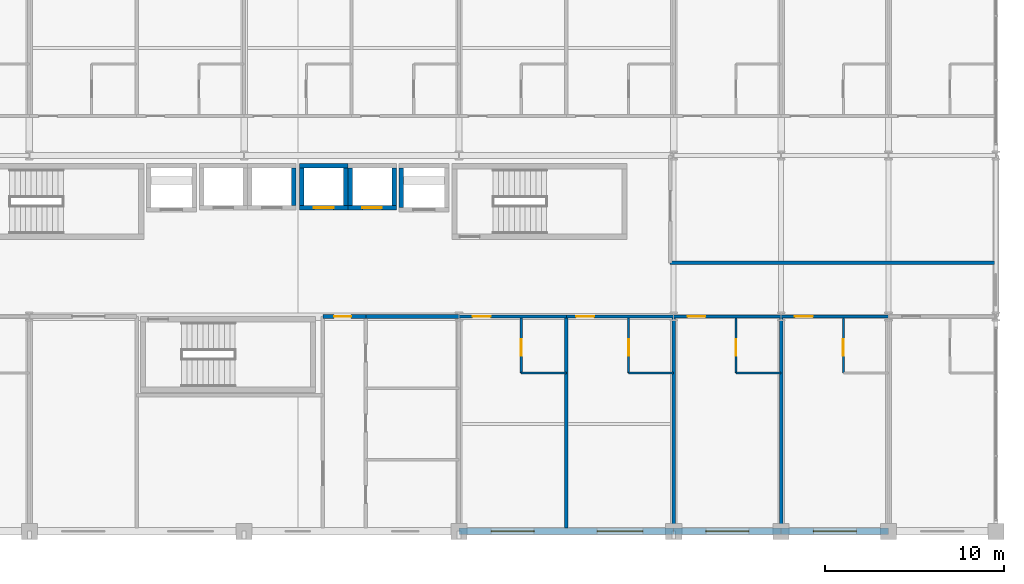
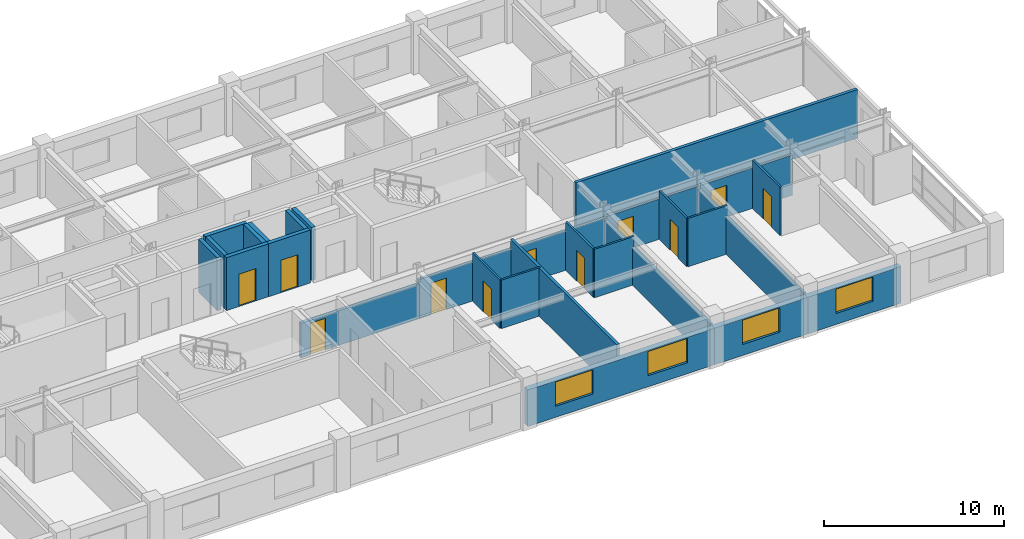
# One storey, part 18 of 22: 29 walls, 11 doors, 4 windows, 15 openings.
"""IFC4 building model written with IfcOpenShell, lengths in metres."""

from ifc_helpers import new_model, si_unit, direction, frame, frame_2d, origin, place, context, subcontext, project, spatial, rectangle, extrude, material, layer, layer_set, type_object, element, fill, save


model = new_model("IFC4")

# Units and contexts
model_context = context("Model", 3, precision=1e-05, world=origin(), true_north=direction((0.0, 1.0)))
body_context = subcontext(model_context, "Body", "Model", "MODEL_VIEW")
ifc_project = project(units=[si_unit("LENGTHUNIT", "METRE"), si_unit("AREAUNIT", "SQUARE_METRE"), si_unit("VOLUMEUNIT", "CUBIC_METRE"), si_unit("PLANEANGLEUNIT", "RADIAN"), si_unit("MASSUNIT", "GRAM", prefix="KILO")], contexts=[model_context])

# Site, building, storey
site_placement = place(None, origin())
site = spatial("IfcSite", under=ifc_project, at=site_placement, CompositionType="ELEMENT")
building_placement = place(site_placement, origin())
building = spatial("IfcBuilding", under=site, at=building_placement, Name="Kaldorvane Square Convention Centre", CompositionType="ELEMENT")
storey_placement = place(building_placement, frame((0.0, 0.0, 31.199996948242188)))
storey = spatial("IfcBuildingStorey", under=building, at=storey_placement, Name="L06", CompositionType="ELEMENT", Elevation=31.199996948242188)

# Wall, opening, door
ifc_material_1 = material(Name="Fire-Rated Gypsum Board on Acoustic Steel Studs", Category="steel")
ifc_layer_1 = layer(ifc_material_1, 0.125)
ifc_layer_set_1 = layer_set([ifc_layer_1], Name="Fire-Rated Gypsum Board on Acoustic Steel Studs")
wall_type_1 = type_object("IfcWallType", Name="WL-BATH-125", PredefinedType="PARTITIONING", material=ifc_layer_set_1)
wall_1_placement = place(storey_placement, frame((69.47999572753906, 92.85000610351562, 0.0), z_axis=(0.0, 0.0, 1.0), x_axis=(0.0, 1.0, 0.0)))
wall_1 = element("IfcWall", 1, at=wall_1_placement, inside=storey, type_object=wall_type_1, Name="En-Suite 616 West Wall", PredefinedType="PARTITIONING", context=body_context, shape_type="SweptSolid", body=[
    extrude(rectangle(XDim=3.05999755859375, YDim=0.125, at=frame_2d((1.529998779296875, 0.0))), origin(), (0.0, 0.0, 1.0), 3.290008544921875),
])
opening_1_placement = place(wall_1_placement, frame((0.9499969482421875, 0.0, 0.0)))
opening_1 = element("IfcOpeningElement", 2, at=opening_1_placement, cuts=wall_1, Name="Opening ID-12", PredefinedType="OPENING", context=body_context, shape_type="SweptSolid", body=[
    extrude(rectangle(XDim=0.9199981689453125, YDim=2.100006103515625, at=frame_2d((0.459991455078125, 1.0500030517578125))), frame((0.0, 0.0774993896484375, 0.0), z_axis=(0.0, -1.0, 0.0), x_axis=(1.0, 0.0, 0.0)), (0.0, 0.0, 1.0), 0.154998779296875),
])
ifc_material_2 = material(Name="Architectural Solid-Core White Oak")
door_type_1 = type_object("IfcDoorType", Name="DR-BATH-0920X2100", OperationType="SINGLE_SWING_RIGHT", PredefinedType="DOOR", material=ifc_material_2)
door_1_placement = place(opening_1_placement, origin())
door_1 = element("IfcDoor", 3, at=door_1_placement, inside=storey, type_object=door_type_1, Name="En-Suite Bathroom 616 Door", OperationType="SINGLE_SWING_RIGHT", OverallHeight=2.100006103515625, OverallWidth=0.9199981689453125, PredefinedType="DOOR", context=body_context, shape_type="SweptSolid", body=[
    extrude(rectangle(XDim=0.9199981689453125, YDim=2.100006103515625, at=frame_2d((0.459991455078125, 1.0500030517578125))), frame((0.0, 0.024993896484375, 0.0), z_axis=(0.0, -1.0, 0.0), x_axis=(1.0, 0.0, 0.0)), (0.0, 0.0, 1.0), 0.0500030517578125),
])
fill(opening_1, door_1)

# Wall
wall_2_placement = place(storey_placement, frame((69.47999572753906, 92.85000610351562, 0.0), z_axis=(0.0, 0.0, 1.0), x_axis=(1.0, 0.0, 0.0)))
element("IfcWall", 4, at=wall_2_placement, inside=storey, type_object=wall_type_1, Name="En-Suite 616 South Wall", PredefinedType="PARTITIONING", context=body_context, shape_type="SweptSolid", body=[
    extrude(rectangle(XDim=2.5200042724609375, YDim=0.125, at=frame_2d((1.260009765625, 0.0))), origin(), (0.0, 0.0, 1.0), 3.290008544921875),
])

# Wall, opening, door
wall_3_placement = place(storey_placement, frame((75.47999572753906, 92.85000610351562, 0.0), z_axis=(0.0, 0.0, 1.0), x_axis=(0.0, 1.0, 0.0)))
wall_3 = element("IfcWall", 5, at=wall_3_placement, inside=storey, type_object=wall_type_1, Name="En-Suite 617 West Wall", PredefinedType="PARTITIONING", context=body_context, shape_type="SweptSolid", body=[
    extrude(rectangle(XDim=3.05999755859375, YDim=0.125, at=frame_2d((1.529998779296875, 0.0))), origin(), (0.0, 0.0, 1.0), 3.290008544921875),
])
opening_2_placement = place(wall_3_placement, frame((0.9499969482421875, 0.0, 0.0)))
opening_2 = element("IfcOpeningElement", 6, at=opening_2_placement, cuts=wall_3, Name="Opening ID-12", PredefinedType="OPENING", context=body_context, shape_type="SweptSolid", body=[
    extrude(rectangle(XDim=0.9199981689453125, YDim=2.100006103515625, at=frame_2d((0.459991455078125, 1.0500030517578125))), frame((0.0, 0.0774993896484375, 0.0), z_axis=(0.0, -1.0, 0.0), x_axis=(1.0, 0.0, 0.0)), (0.0, 0.0, 1.0), 0.154998779296875),
])
door_2_placement = place(opening_2_placement, origin())
door_2 = element("IfcDoor", 7, at=door_2_placement, inside=storey, type_object=door_type_1, Name="En-Suite Bathroom 617 Door", OperationType="SINGLE_SWING_RIGHT", OverallHeight=2.100006103515625, OverallWidth=0.9199981689453125, PredefinedType="DOOR", context=body_context, shape_type="SweptSolid", body=[
    extrude(rectangle(XDim=0.9199981689453125, YDim=2.100006103515625, at=frame_2d((0.459991455078125, 1.0500030517578125))), frame((0.0, 0.024993896484375, 0.0), z_axis=(0.0, -1.0, 0.0), x_axis=(1.0, 0.0, 0.0)), (0.0, 0.0, 1.0), 0.0500030517578125),
])
fill(opening_2, door_2)

# Wall
wall_4_placement = place(storey_placement, frame((75.47999572753906, 92.85000610351562, 0.0), z_axis=(0.0, 0.0, 1.0), x_axis=(1.0, 0.0, 0.0)))
element("IfcWall", 8, at=wall_4_placement, inside=storey, type_object=wall_type_1, Name="En-Suite 617 South Wall", PredefinedType="PARTITIONING", context=body_context, shape_type="SweptSolid", body=[
    extrude(rectangle(XDim=2.5200042724609375, YDim=0.125, at=frame_2d((1.260009765625, 0.0))), origin(), (0.0, 0.0, 1.0), 3.290008544921875),
])

# Wall, opening, door
wall_5_placement = place(storey_placement, frame((81.47999572753906, 92.85000610351562, 0.0), z_axis=(0.0, 0.0, 1.0), x_axis=(0.0, 1.0, 0.0)))
wall_5 = element("IfcWall", 9, at=wall_5_placement, inside=storey, type_object=wall_type_1, Name="En-Suite 618 West Wall", PredefinedType="PARTITIONING", context=body_context, shape_type="SweptSolid", body=[
    extrude(rectangle(XDim=3.05999755859375, YDim=0.125, at=frame_2d((1.529998779296875, 0.0))), origin(), (0.0, 0.0, 1.0), 3.290008544921875),
])
opening_3_placement = place(wall_5_placement, frame((0.9499969482421875, 0.0, 0.0)))
opening_3 = element("IfcOpeningElement", 10, at=opening_3_placement, cuts=wall_5, Name="Opening ID-12", PredefinedType="OPENING", context=body_context, shape_type="SweptSolid", body=[
    extrude(rectangle(XDim=0.9199981689453125, YDim=2.100006103515625, at=frame_2d((0.459991455078125, 1.0500030517578125))), frame((0.0, 0.0774993896484375, 0.0), z_axis=(0.0, -1.0, 0.0), x_axis=(1.0, 0.0, 0.0)), (0.0, 0.0, 1.0), 0.154998779296875),
])
door_3_placement = place(opening_3_placement, origin())
door_3 = element("IfcDoor", 11, at=door_3_placement, inside=storey, type_object=door_type_1, Name="En-Suite Bathroom 618 Door", OperationType="SINGLE_SWING_RIGHT", OverallHeight=2.100006103515625, OverallWidth=0.9199981689453125, PredefinedType="DOOR", context=body_context, shape_type="SweptSolid", body=[
    extrude(rectangle(XDim=0.9199981689453125, YDim=2.100006103515625, at=frame_2d((0.459991455078125, 1.0500030517578125))), frame((0.0, 0.024993896484375, 0.0), z_axis=(0.0, -1.0, 0.0), x_axis=(1.0, 0.0, 0.0)), (0.0, 0.0, 1.0), 0.0500030517578125),
])
fill(opening_3, door_3)

# Wall
wall_6_placement = place(storey_placement, frame((81.47999572753906, 92.85000610351562, 0.0), z_axis=(0.0, 0.0, 1.0), x_axis=(1.0, 0.0, 0.0)))
element("IfcWall", 12, at=wall_6_placement, inside=storey, type_object=wall_type_1, Name="En-Suite 618 South Wall", PredefinedType="PARTITIONING", context=body_context, shape_type="SweptSolid", body=[
    extrude(rectangle(XDim=2.5200042724609375, YDim=0.125, at=frame_2d((1.260009765625, 0.0))), origin(), (0.0, 0.0, 1.0), 3.290008544921875),
])

# Wall, opening, door
wall_7_placement = place(storey_placement, frame((87.47999572753906, 92.85000610351562, 0.0), z_axis=(0.0, 0.0, 1.0), x_axis=(0.0, 1.0, 0.0)))
wall_7 = element("IfcWall", 13, at=wall_7_placement, inside=storey, type_object=wall_type_1, Name="En-Suite 619 West Wall", PredefinedType="PARTITIONING", context=body_context, shape_type="SweptSolid", body=[
    extrude(rectangle(XDim=3.05999755859375, YDim=0.125, at=frame_2d((1.529998779296875, 0.0))), origin(), (0.0, 0.0, 1.0), 3.290008544921875),
])
opening_4_placement = place(wall_7_placement, frame((0.9499969482421875, 0.0, 0.0)))
opening_4 = element("IfcOpeningElement", 14, at=opening_4_placement, cuts=wall_7, Name="Opening ID-12", PredefinedType="OPENING", context=body_context, shape_type="SweptSolid", body=[
    extrude(rectangle(XDim=0.9199981689453125, YDim=2.100006103515625, at=frame_2d((0.459991455078125, 1.0500030517578125))), frame((0.0, 0.0774993896484375, 0.0), z_axis=(0.0, -1.0, 0.0), x_axis=(1.0, 0.0, 0.0)), (0.0, 0.0, 1.0), 0.154998779296875),
])
door_4_placement = place(opening_4_placement, origin())
door_4 = element("IfcDoor", 15, at=door_4_placement, inside=storey, type_object=door_type_1, Name="En-Suite Bathroom 619 Door", OperationType="SINGLE_SWING_RIGHT", OverallHeight=2.100006103515625, OverallWidth=0.9199981689453125, PredefinedType="DOOR", context=body_context, shape_type="SweptSolid", body=[
    extrude(rectangle(XDim=0.9199981689453125, YDim=2.100006103515625, at=frame_2d((0.459991455078125, 1.0500030517578125))), frame((0.0, 0.024993896484375, 0.0), z_axis=(0.0, -1.0, 0.0), x_axis=(1.0, 0.0, 0.0)), (0.0, 0.0, 1.0), 0.0500030517578125),
])
fill(opening_4, door_4)

ifc_layer_2 = layer(ifc_material_1, 0.1999969482421875)
ifc_layer_set_2 = layer_set([ifc_layer_2], Name="Fire-Rated Gypsum Board on Acoustic Steel Studs")
wall_type_2 = type_object("IfcWallType", Name="WL-CORR-200", PredefinedType="PARTITIONING", material=ifc_layer_set_2)
wall_8_placement = place(storey_placement, frame((58.399993896484375, 96.0, 0.0), z_axis=(0.0, 0.0, 1.0), x_axis=(1.0, 0.0, 0.0)))
wall_8 = element("IfcWall", 16, at=wall_8_placement, inside=storey, type_object=wall_type_2, Name="Restroom Vestibule Entry Header (L06)", PredefinedType="PARTITIONING", context=body_context, shape_type="SweptSolid", body=[
    extrude(rectangle(XDim=2.4000091552734375, YDim=0.1999969482421875, at=frame_2d((1.20001220703125, 0.0))), origin(), (0.0, 0.0, 1.0), 2.3590087890625),
])
opening_5_placement = place(wall_8_placement, frame((0.625, 0.0, 0.0)))
opening_5 = element("IfcOpeningElement", 17, at=opening_5_placement, cuts=wall_8, Name="Opening ID-13", PredefinedType="OPENING", context=body_context, shape_type="SweptSolid", body=[
    extrude(rectangle(XDim=0.9499969482421875, YDim=2.149993896484375, at=frame_2d((0.475006103515625, 1.0749969482421875))), frame((0.0, 0.114990234375, 0.0), z_axis=(0.0, -1.0, 0.0), x_axis=(1.0, 0.0, 0.0)), (0.0, 0.0, 1.0), 0.2299957275390625),
])
door_type_2 = type_object("IfcDoorType", Name="DR-WC-0950X2150", OperationType="SINGLE_SWING_LEFT", PredefinedType="DOOR", material=ifc_material_2)
door_5_placement = place(opening_5_placement, origin())
door_5 = element("IfcDoor", 18, at=door_5_placement, inside=storey, type_object=door_type_2, Name="Restroom Vestibule Door (L06)", OperationType="SINGLE_SWING_LEFT", OverallHeight=2.149993896484375, OverallWidth=0.9499969482421875, PredefinedType="DOOR", context=body_context, shape_type="SweptSolid", body=[
    extrude(rectangle(XDim=0.9499969482421875, YDim=2.149993896484375, at=frame_2d((0.475006103515625, 1.0749969482421875))), frame((0.0, 0.024993896484375, 0.0), z_axis=(0.0, -1.0, 0.0), x_axis=(1.0, 0.0, 0.0)), (0.0, 0.0, 1.0), 0.0500030517578125),
])
fill(opening_5, door_5)

# Walls
wall_9_placement = place(storey_placement, frame((60.80000305175781, 96.0, 0.0), z_axis=(0.0, 0.0, 1.0), x_axis=(1.0, 0.0, 0.0)))
element("IfcWall", 19, at=wall_9_placement, inside=storey, type_object=wall_type_2, Name="Restroom North Wall (L06)", PredefinedType="PARTITIONING", context=body_context, shape_type="SweptSolid", body=[
    extrude(rectangle(XDim=5.1999969482421875, YDim=0.1999969482421875, at=frame_2d((2.600006103515625, 0.0))), origin(), (0.0, 0.0, 1.0), 2.3590087890625),
])
wall_10_placement = place(storey_placement, frame((77.80000305175781, 99.0, 0.0), z_axis=(0.0, 0.0, 1.0), x_axis=(1.0, 0.0, 0.0)))
element("IfcWall", 20, at=wall_10_placement, inside=storey, type_object=wall_type_2, Name="East Square View Lounge (L06) S Wall", PredefinedType="PARTITIONING", context=body_context, shape_type="SweptSolid", body=[
    extrude(rectangle(XDim=18.114990234375, YDim=0.1999969482421875, at=frame_2d((9.0574951171875, 0.0))), origin(), (0.0, 0.0, 1.0), 3.290008544921875),
])

# Wall, openings, windows
ifc_material_3 = material(Name="Concrete f'c = 42 MPa (Normalweight)", Category="concrete")
ifc_layer_3 = layer(ifc_material_3, 0.350006103515625)
ifc_layer_set_3 = layer_set([ifc_layer_3], Name="Concrete f'c = 42 MPa (Normalweight)")
wall_type_3 = type_object("IfcWallType", Name="WL-EXT-350", PredefinedType="STANDARD", material=ifc_layer_set_3)
wall_11_placement = place(storey_placement, frame((66.0, 84.0, 0.0), z_axis=(0.0, 0.0, 1.0), x_axis=(1.0, 0.0, 0.0)))
wall_11 = element("IfcWall", 21, at=wall_11_placement, inside=storey, type_object=wall_type_3, Name="Hotel S Brutalist Facade Wall (L06)", PredefinedType="STANDARD", context=body_context, shape_type="SweptSolid", body=[
    extrude(rectangle(XDim=12.0, YDim=0.350006103515625, at=frame_2d((6.0, 0.0))), origin(), (0.0, 0.0, 1.0), 2.4860076904296875),
])
opening_6_placement = place(wall_11_placement, frame((1.8000030517578125, 0.0, 0.75)))
opening_6 = element("IfcOpeningElement", 22, at=opening_6_placement, cuts=wall_11, Name="Opening W-01", PredefinedType="OPENING", context=body_context, shape_type="SweptSolid", body=[
    extrude(rectangle(XDim=2.399993896484375, YDim=1.649993896484375, at=frame_2d((1.1999969482421875, 0.8249969482421875))), frame((0.0, 0.19000244140625, 0.0), z_axis=(0.0, -1.0, 0.0), x_axis=(1.0, 0.0, 0.0)), (0.0, 0.0, 1.0), 0.3800048828125),
])
opening_7_placement = place(wall_11_placement, frame((7.725006103515625, 0.0, 0.75)))
opening_7 = element("IfcOpeningElement", 23, at=opening_7_placement, cuts=wall_11, Name="Opening W-02", PredefinedType="OPENING", context=body_context, shape_type="SweptSolid", body=[
    extrude(rectangle(XDim=2.5500030517578125, YDim=1.649993896484375, at=frame_2d((1.274993896484375, 0.8249969482421875))), frame((0.0, 0.19000244140625, 0.0), z_axis=(0.0, -1.0, 0.0), x_axis=(1.0, 0.0, 0.0)), (0.0, 0.0, 1.0), 0.3800048828125),
])
ifc_material_4 = material(Name="Anodized Aluminum and Low-E Insulated Glazing", Category="aluminium")
window_type_1 = type_object("IfcWindowType", Name="WN-HTL-2400X1650", PartitioningType="DOUBLE_PANEL_VERTICAL", PredefinedType="WINDOW", material=ifc_material_4)
window_1_placement = place(opening_6_placement, origin())
window_1 = element("IfcWindow", 24, at=window_1_placement, inside=storey, type_object=window_type_1, Name="Hotel S Window (L06)", OverallHeight=1.649993896484375, OverallWidth=2.399993896484375, PartitioningType="DOUBLE_PANEL_VERTICAL", PredefinedType="WINDOW", context=body_context, shape_type="SweptSolid", body=[
    extrude(rectangle(XDim=2.399993896484375, YDim=1.649993896484375, at=frame_2d((1.1999969482421875, 0.8249969482421875))), frame((0.0, 0.029998779296875, 0.0), z_axis=(0.0, -1.0, 0.0), x_axis=(1.0, 0.0, 0.0)), (0.0, 0.0, 1.0), 0.05999755859375),
])
fill(opening_6, window_1)
window_type_2 = type_object("IfcWindowType", Name="WN-HTL-2550X1650", PartitioningType="DOUBLE_PANEL_VERTICAL", PredefinedType="WINDOW", material=ifc_material_4)
window_2_placement = place(opening_7_placement, origin())
window_2 = element("IfcWindow", 25, at=window_2_placement, inside=storey, type_object=window_type_2, Name="Hotel S Window (L06)", OverallHeight=1.649993896484375, OverallWidth=2.5500030517578125, PartitioningType="DOUBLE_PANEL_VERTICAL", PredefinedType="WINDOW", context=body_context, shape_type="SweptSolid", body=[
    extrude(rectangle(XDim=2.5500030517578125, YDim=1.649993896484375, at=frame_2d((1.274993896484375, 0.8249969482421875))), frame((0.0, 0.029998779296875, 0.0), z_axis=(0.0, -1.0, 0.0), x_axis=(1.0, 0.0, 0.0)), (0.0, 0.0, 1.0), 0.05999755859375),
])
fill(opening_7, window_2)

# Wall, opening, window
wall_12_placement = place(storey_placement, frame((78.0, 84.0, 0.0), z_axis=(0.0, 0.0, 1.0), x_axis=(1.0, 0.0, 0.0)))
wall_12 = element("IfcWall", 26, at=wall_12_placement, inside=storey, type_object=wall_type_3, Name="Hotel S Brutalist Facade Wall (L06)", PredefinedType="STANDARD", context=body_context, shape_type="SweptSolid", body=[
    extrude(rectangle(XDim=6.0, YDim=0.350006103515625, at=frame_2d((3.0, 0.0))), origin(), (0.0, 0.0, 1.0), 2.4860076904296875),
])
opening_8_placement = place(wall_12_placement, frame((1.8000030517578125, 0.0, 0.75)))
opening_8 = element("IfcOpeningElement", 27, at=opening_8_placement, cuts=wall_12, Name="Opening W-01", PredefinedType="OPENING", context=body_context, shape_type="SweptSolid", body=[
    extrude(rectangle(XDim=2.399993896484375, YDim=1.649993896484375, at=frame_2d((1.1999969482421875, 0.8249969482421875))), frame((0.0, 0.19000244140625, 0.0), z_axis=(0.0, -1.0, 0.0), x_axis=(1.0, 0.0, 0.0)), (0.0, 0.0, 1.0), 0.3800048828125),
])
window_3_placement = place(opening_8_placement, origin())
window_3 = element("IfcWindow", 28, at=window_3_placement, inside=storey, type_object=window_type_1, Name="Hotel S Window (L06)", OverallHeight=1.649993896484375, OverallWidth=2.399993896484375, PartitioningType="DOUBLE_PANEL_VERTICAL", PredefinedType="WINDOW", context=body_context, shape_type="SweptSolid", body=[
    extrude(rectangle(XDim=2.399993896484375, YDim=1.649993896484375, at=frame_2d((1.1999969482421875, 0.8249969482421875))), frame((0.0, 0.029998779296875, 0.0), z_axis=(0.0, -1.0, 0.0), x_axis=(1.0, 0.0, 0.0)), (0.0, 0.0, 1.0), 0.05999755859375),
])
fill(opening_8, window_3)

wall_13_placement = place(storey_placement, frame((84.0, 84.0, 0.0), z_axis=(0.0, 0.0, 1.0), x_axis=(1.0, 0.0, 0.0)))
wall_13 = element("IfcWall", 29, at=wall_13_placement, inside=storey, type_object=wall_type_3, Name="Hotel S Brutalist Facade Wall (L06)", PredefinedType="STANDARD", context=body_context, shape_type="SweptSolid", body=[
    extrude(rectangle(XDim=6.0, YDim=0.350006103515625, at=frame_2d((3.0, 0.0))), origin(), (0.0, 0.0, 1.0), 2.4860076904296875),
])
opening_9_placement = place(wall_13_placement, frame((1.8000030517578125, 0.0, 0.75)))
opening_9 = element("IfcOpeningElement", 30, at=opening_9_placement, cuts=wall_13, Name="Opening W-01", PredefinedType="OPENING", context=body_context, shape_type="SweptSolid", body=[
    extrude(rectangle(XDim=2.399993896484375, YDim=1.649993896484375, at=frame_2d((1.1999969482421875, 0.8249969482421875))), frame((0.0, 0.19000244140625, 0.0), z_axis=(0.0, -1.0, 0.0), x_axis=(1.0, 0.0, 0.0)), (0.0, 0.0, 1.0), 0.3800048828125),
])
window_4_placement = place(opening_9_placement, origin())
window_4 = element("IfcWindow", 31, at=window_4_placement, inside=storey, type_object=window_type_1, Name="Hotel S Window (L06)", OverallHeight=1.649993896484375, OverallWidth=2.399993896484375, PartitioningType="DOUBLE_PANEL_VERTICAL", PredefinedType="WINDOW", context=body_context, shape_type="SweptSolid", body=[
    extrude(rectangle(XDim=2.399993896484375, YDim=1.649993896484375, at=frame_2d((1.1999969482421875, 0.8249969482421875))), frame((0.0, 0.029998779296875, 0.0), z_axis=(0.0, -1.0, 0.0), x_axis=(1.0, 0.0, 0.0)), (0.0, 0.0, 1.0), 0.05999755859375),
])
fill(opening_9, window_4)

# Walls
ifc_material_5 = material(Name="Concrete f'c = 55 MPa (Normalweight)", Category="concrete")
ifc_layer_4 = layer(ifc_material_5, 0.3000030517578125)
ifc_layer_set_4 = layer_set([ifc_layer_4], Name="Concrete f'c = 55 MPa (Normalweight)")
wall_type_4 = type_object("IfcWallType", Name="WL-SHAFT-300", PredefinedType="SHEAR", material=ifc_layer_set_4)
wall_14_placement = place(storey_placement, frame((62.774993896484375, 104.30000305175781, 0.0), z_axis=(0.0, 0.0, 1.0), x_axis=(0.0, -1.0, 0.0)))
element("IfcWall", 32, at=wall_14_placement, inside=storey, type_object=wall_type_4, Name="Core Enclosure Wall lift:FSAE-02-W (L06)", PredefinedType="SHEAR", context=body_context, shape_type="SweptSolid", body=[
    extrude(rectangle(XDim=2.1999969482421875, YDim=0.25, at=frame_2d((1.100006103515625, 0.0))), origin(), (0.0, 0.0, 1.0), 3.600006103515625),
])
wall_15_placement = place(storey_placement, frame((56.774993896484375, 102.19999694824219, 0.0), z_axis=(0.0, 0.0, 1.0), x_axis=(0.0, 1.0, 0.0)))
element("IfcWall", 33, at=wall_15_placement, inside=storey, type_object=wall_type_4, Name="Core Enclosure Wall lift:EL-P2-E (L06)", PredefinedType="SHEAR", context=body_context, shape_type="SweptSolid", body=[
    extrude(rectangle(XDim=2.100006103515625, YDim=0.25, at=frame_2d((1.0500030517578125, 0.0))), origin(), (0.0, 0.0, 1.0), 3.600006103515625),
])

# Wall, opening, door
wall_16_placement = place(storey_placement, frame((57.100006103515625, 102.07499694824219, 0.0), z_axis=(0.0, 0.0, 1.0), x_axis=(1.0, 0.0, 0.0)))
wall_16 = element("IfcWall", 34, at=wall_16_placement, inside=storey, type_object=wall_type_4, Name="Core Enclosure Wall lift:EL-P3-S (L06)", PredefinedType="SHEAR", context=body_context, shape_type="SweptSolid", body=[
    extrude(rectangle(XDim=2.6999969482421875, YDim=0.25, at=frame_2d((1.350006103515625, 0.0))), origin(), (0.0, 0.0, 1.0), 3.600006103515625),
])
opening_10_placement = place(wall_16_placement, frame((0.8000030517578125, 0.0, 0.0)))
opening_10 = element("IfcOpeningElement", 35, at=opening_10_placement, cuts=wall_16, Name="Opening LD-01", PredefinedType="OPENING", context=body_context, shape_type="SweptSolid", body=[
    extrude(rectangle(XDim=1.100006103515625, YDim=2.1999969482421875, at=frame_2d((0.5500030517578125, 1.100006103515625))), frame((0.0, 0.1399993896484375, 0.0), z_axis=(0.0, -1.0, 0.0), x_axis=(1.0, 0.0, 0.0)), (0.0, 0.0, 1.0), 0.279998779296875),
])
ifc_material_6 = material(Name="Stainless Steel Elevator Door Assembly", Category="steel")
door_type_3 = type_object("IfcDoorType", Name="DR-LIFT-1100", OperationType="DOUBLE_DOOR_SLIDING", PredefinedType="DOOR", material=ifc_material_6)
door_6_placement = place(opening_10_placement, origin())
door_6 = element("IfcDoor", 36, at=door_6_placement, inside=storey, type_object=door_type_3, Name="Elevator Landing Door EL-P3 (L06)", OperationType="DOUBLE_DOOR_SLIDING", OverallHeight=2.1999969482421875, OverallWidth=1.100006103515625, PredefinedType="DOOR", context=body_context, shape_type="SweptSolid", body=[
    extrude(rectangle(XDim=1.100006103515625, YDim=2.1999969482421875, at=frame_2d((0.5500030517578125, 1.100006103515625))), frame((0.0, 0.024993896484375, 0.0), z_axis=(0.0, -1.0, 0.0), x_axis=(1.0, 0.0, 0.0)), (0.0, 0.0, 1.0), 0.0500030517578125),
])
fill(opening_10, door_6)

# Walls
wall_17_placement = place(storey_placement, frame((59.80000305175781, 104.42500305175781, 0.0), z_axis=(0.0, 0.0, 1.0), x_axis=(-1.0, 0.0, 0.0)))
element("IfcWall", 37, at=wall_17_placement, inside=storey, type_object=wall_type_4, Name="Core Enclosure Wall lift:EL-P3-N (L06)", PredefinedType="SHEAR", context=body_context, shape_type="SweptSolid", body=[
    extrude(rectangle(XDim=2.6999969482421875, YDim=0.25, at=frame_2d((1.350006103515625, 0.0))), origin(), (0.0, 0.0, 1.0), 3.600006103515625),
])
for number, where, z_axis, x_axis, name in (
    (38, (57.225006103515625, 104.30000305175781, 0.0), (0.0, 0.0, 1.0), (0.0, -1.0, 0.0), "Core Enclosure Wall lift:EL-P3-W (L06)"),
    (39, (59.67500305175781, 102.19999694824219, 0.0), (0.0, 0.0, 1.0), (0.0, 1.0, 0.0), "Core Enclosure Wall lift:EL-P3-E (L06)"),
):
    element("IfcWall", number, at=place(storey_placement, frame(where, z_axis=z_axis, x_axis=x_axis)), inside=storey, type_object=wall_type_4, Name=name, PredefinedType="SHEAR", context=body_context, shape_type="SweptSolid", body=[
        extrude(rectangle(XDim=2.100006103515625, YDim=0.25, at=frame_2d((1.0500030517578125, 0.0))), origin(), (0.0, 0.0, 1.0), 3.600006103515625),
    ])

# Wall, opening, door
wall_18_placement = place(storey_placement, frame((59.80000305175781, 102.07499694824219, 0.0), z_axis=(0.0, 0.0, 1.0), x_axis=(1.0, 0.0, 0.0)))
wall_18 = element("IfcWall", 40, at=wall_18_placement, inside=storey, type_object=wall_type_4, Name="Core Enclosure Wall lift:EL-P4-S (L06)", PredefinedType="SHEAR", context=body_context, shape_type="SweptSolid", body=[
    extrude(rectangle(XDim=2.6999969482421875, YDim=0.25, at=frame_2d((1.350006103515625, 0.0))), origin(), (0.0, 0.0, 1.0), 3.600006103515625),
])
opening_11_placement = place(wall_18_placement, frame((0.8000030517578125, 0.0, 0.0)))
opening_11 = element("IfcOpeningElement", 41, at=opening_11_placement, cuts=wall_18, Name="Opening LD-01", PredefinedType="OPENING", context=body_context, shape_type="SweptSolid", body=[
    extrude(rectangle(XDim=1.100006103515625, YDim=2.1999969482421875, at=frame_2d((0.5500030517578125, 1.100006103515625))), frame((0.0, 0.1399993896484375, 0.0), z_axis=(0.0, -1.0, 0.0), x_axis=(1.0, 0.0, 0.0)), (0.0, 0.0, 1.0), 0.279998779296875),
])
door_7_placement = place(opening_11_placement, origin())
door_7 = element("IfcDoor", 42, at=door_7_placement, inside=storey, type_object=door_type_3, Name="Elevator Landing Door EL-P4 (L06)", OperationType="DOUBLE_DOOR_SLIDING", OverallHeight=2.1999969482421875, OverallWidth=1.100006103515625, PredefinedType="DOOR", context=body_context, shape_type="SweptSolid", body=[
    extrude(rectangle(XDim=1.100006103515625, YDim=2.1999969482421875, at=frame_2d((0.5500030517578125, 1.100006103515625))), frame((0.0, 0.024993896484375, 0.0), z_axis=(0.0, -1.0, 0.0), x_axis=(1.0, 0.0, 0.0)), (0.0, 0.0, 1.0), 0.0500030517578125),
])
fill(opening_11, door_7)

# Walls
for number, where, z_axis, x_axis, name in (
    (43, (59.92500305175781, 104.30000305175781, 0.0), (0.0, 0.0, 1.0), (0.0, -1.0, 0.0), "Core Enclosure Wall lift:EL-P4-W (L06)"),
    (44, (62.375, 102.19999694824219, 0.0), (0.0, 0.0, 1.0), (0.0, 1.0, 0.0), "Core Enclosure Wall lift:EL-P4-E (L06)"),
):
    element("IfcWall", number, at=place(storey_placement, frame(where, z_axis=z_axis, x_axis=x_axis)), inside=storey, type_object=wall_type_4, Name=name, PredefinedType="SHEAR", context=body_context, shape_type="SweptSolid", body=[
        extrude(rectangle(XDim=2.100006103515625, YDim=0.25, at=frame_2d((1.0500030517578125, 0.0))), origin(), (0.0, 0.0, 1.0), 3.600006103515625),
    ])

# Wall, opening, door
ifc_layer_5 = layer(ifc_material_1, 0.17999267578125)
ifc_layer_set_5 = layer_set([ifc_layer_5], Name="Fire-Rated Gypsum Board on Acoustic Steel Studs")
wall_type_5 = type_object("IfcWallType", Name="WL-UNIT-180", PredefinedType="PARTITIONING", material=ifc_layer_set_5)
wall_19_placement = place(storey_placement, frame((66.0, 96.0, 0.0), z_axis=(0.0, 0.0, 1.0), x_axis=(1.0, 0.0, 0.0)))
wall_19 = element("IfcWall", 45, at=wall_19_placement, inside=storey, type_object=wall_type_5, Name="Hotel Guest Room 616 Corridor Wall", PredefinedType="PARTITIONING", context=body_context, shape_type="SweptSolid", body=[
    extrude(rectangle(XDim=6.0, YDim=0.17999267578125, at=frame_2d((3.0, 0.0))), origin(), (0.0, 0.0, 1.0), 2.66400146484375),
])
opening_12_placement = place(wall_19_placement, frame((0.7700042724609375, 0.0, 0.0)))
opening_12 = element("IfcOpeningElement", 46, at=opening_12_placement, cuts=wall_19, Name="Opening ID-10", PredefinedType="OPENING", context=body_context, shape_type="SweptSolid", body=[
    extrude(rectangle(XDim=1.0, YDim=2.149993896484375, at=frame_2d((0.5, 1.0749969482421875))), frame((0.0, 0.1049957275390625, 0.0), z_axis=(0.0, -1.0, 0.0), x_axis=(1.0, 0.0, 0.0)), (0.0, 0.0, 1.0), 0.209991455078125),
])
door_type_4 = type_object("IfcDoorType", Name="DR-GUEST-1000X2150", OperationType="SINGLE_SWING_LEFT", PredefinedType="DOOR", material=ifc_material_2)
door_8_placement = place(opening_12_placement, origin())
door_8 = element("IfcDoor", 47, at=door_8_placement, inside=storey, type_object=door_type_4, Name="Hotel Guest Room 616 Entry Door", OperationType="SINGLE_SWING_LEFT", OverallHeight=2.149993896484375, OverallWidth=1.0, PredefinedType="DOOR", context=body_context, shape_type="SweptSolid", body=[
    extrude(rectangle(XDim=1.0, YDim=2.149993896484375, at=frame_2d((0.5, 1.0749969482421875))), frame((0.0, 0.024993896484375, 0.0), z_axis=(0.0, -1.0, 0.0), x_axis=(1.0, 0.0, 0.0)), (0.0, 0.0, 1.0), 0.0500030517578125),
])
fill(opening_12, door_8)

# Wall
wall_20_placement = place(storey_placement, frame((72.0, 84.17500305175781, 0.0), z_axis=(0.0, 0.0, 1.0), x_axis=(0.0, 1.0, 0.0)))
element("IfcWall", 48, at=wall_20_placement, inside=storey, type_object=wall_type_5, Name="Guestroom Demising Wall 616", PredefinedType="PARTITIONING", context=body_context, shape_type="SweptSolid", body=[
    extrude(rectangle(XDim=11.824996948242188, YDim=0.17999267578125, at=frame_2d((5.912506103515625, 0.0))), origin(), (0.0, 0.0, 1.0), 3.290008544921875),
])

# Wall, opening, door
wall_21_placement = place(storey_placement, frame((72.0, 96.0, 0.0), z_axis=(0.0, 0.0, 1.0), x_axis=(1.0, 0.0, 0.0)))
wall_21 = element("IfcWall", 49, at=wall_21_placement, inside=storey, type_object=wall_type_5, Name="Hotel Guest Room 617 Corridor Wall", PredefinedType="PARTITIONING", context=body_context, shape_type="SweptSolid", body=[
    extrude(rectangle(XDim=6.0, YDim=0.17999267578125, at=frame_2d((3.0, 0.0))), origin(), (0.0, 0.0, 1.0), 2.66400146484375),
])
opening_13_placement = place(wall_21_placement, frame((0.5500030517578125, 0.0, 0.0)))
opening_13 = element("IfcOpeningElement", 50, at=opening_13_placement, cuts=wall_21, Name="Opening ID-10", PredefinedType="OPENING", context=body_context, shape_type="SweptSolid", body=[
    extrude(rectangle(XDim=1.0, YDim=2.149993896484375, at=frame_2d((0.5, 1.0749969482421875))), frame((0.0, 0.1049957275390625, 0.0), z_axis=(0.0, -1.0, 0.0), x_axis=(1.0, 0.0, 0.0)), (0.0, 0.0, 1.0), 0.209991455078125),
])
door_9_placement = place(opening_13_placement, origin())
door_9 = element("IfcDoor", 51, at=door_9_placement, inside=storey, type_object=door_type_4, Name="Hotel Guest Room 617 Entry Door", OperationType="SINGLE_SWING_LEFT", OverallHeight=2.149993896484375, OverallWidth=1.0, PredefinedType="DOOR", context=body_context, shape_type="SweptSolid", body=[
    extrude(rectangle(XDim=1.0, YDim=2.149993896484375, at=frame_2d((0.5, 1.0749969482421875))), frame((0.0, 0.024993896484375, 0.0), z_axis=(0.0, -1.0, 0.0), x_axis=(1.0, 0.0, 0.0)), (0.0, 0.0, 1.0), 0.0500030517578125),
])
fill(opening_13, door_9)

# Wall
wall_22_placement = place(storey_placement, frame((78.0, 84.17500305175781, 0.0), z_axis=(0.0, 0.0, 1.0), x_axis=(0.0, 1.0, 0.0)))
element("IfcWall", 52, at=wall_22_placement, inside=storey, type_object=wall_type_5, Name="Guestroom Demising Wall 617", PredefinedType="PARTITIONING", context=body_context, shape_type="SweptSolid", body=[
    extrude(rectangle(XDim=11.824996948242188, YDim=0.17999267578125, at=frame_2d((5.912506103515625, 0.0))), origin(), (0.0, 0.0, 1.0), 2.589996337890625),
])

# Wall, opening, door
wall_23_placement = place(storey_placement, frame((78.0, 96.0, 0.0), z_axis=(0.0, 0.0, 1.0), x_axis=(1.0, 0.0, 0.0)))
wall_23 = element("IfcWall", 53, at=wall_23_placement, inside=storey, type_object=wall_type_5, Name="Hotel Guest Room 618 Corridor Wall", PredefinedType="PARTITIONING", context=body_context, shape_type="SweptSolid", body=[
    extrude(rectangle(XDim=6.0, YDim=0.17999267578125, at=frame_2d((3.0, 0.0))), origin(), (0.0, 0.0, 1.0), 2.7360076904296875),
])
opening_14_placement = place(wall_23_placement, frame((0.7700042724609375, 0.0, 0.0)))
opening_14 = element("IfcOpeningElement", 54, at=opening_14_placement, cuts=wall_23, Name="Opening ID-10", PredefinedType="OPENING", context=body_context, shape_type="SweptSolid", body=[
    extrude(rectangle(XDim=1.0, YDim=2.149993896484375, at=frame_2d((0.5, 1.0749969482421875))), frame((0.0, 0.1049957275390625, 0.0), z_axis=(0.0, -1.0, 0.0), x_axis=(1.0, 0.0, 0.0)), (0.0, 0.0, 1.0), 0.209991455078125),
])
door_10_placement = place(opening_14_placement, origin())
door_10 = element("IfcDoor", 55, at=door_10_placement, inside=storey, type_object=door_type_4, Name="Hotel Guest Room 618 Entry Door", OperationType="SINGLE_SWING_LEFT", OverallHeight=2.149993896484375, OverallWidth=1.0, PredefinedType="DOOR", context=body_context, shape_type="SweptSolid", body=[
    extrude(rectangle(XDim=1.0, YDim=2.149993896484375, at=frame_2d((0.5, 1.0749969482421875))), frame((0.0, 0.024993896484375, 0.0), z_axis=(0.0, -1.0, 0.0), x_axis=(1.0, 0.0, 0.0)), (0.0, 0.0, 1.0), 0.0500030517578125),
])
fill(opening_14, door_10)

# Wall
wall_24_placement = place(storey_placement, frame((84.0, 84.17500305175781, 0.0), z_axis=(0.0, 0.0, 1.0), x_axis=(0.0, 1.0, 0.0)))
element("IfcWall", 56, at=wall_24_placement, inside=storey, type_object=wall_type_5, Name="Guestroom Demising Wall 618", PredefinedType="PARTITIONING", context=body_context, shape_type="SweptSolid", body=[
    extrude(rectangle(XDim=11.824996948242188, YDim=0.17999267578125, at=frame_2d((5.912506103515625, 0.0))), origin(), (0.0, 0.0, 1.0), 2.589996337890625),
])

# Wall, opening, door
wall_25_placement = place(storey_placement, frame((84.0, 96.0, 0.0), z_axis=(0.0, 0.0, 1.0), x_axis=(1.0, 0.0, 0.0)))
wall_25 = element("IfcWall", 57, at=wall_25_placement, inside=storey, type_object=wall_type_5, Name="Hotel Guest Room 619 Corridor Wall", PredefinedType="PARTITIONING", context=body_context, shape_type="SweptSolid", body=[
    extrude(rectangle(XDim=6.0, YDim=0.17999267578125, at=frame_2d((3.0, 0.0))), origin(), (0.0, 0.0, 1.0), 2.7360076904296875),
])
opening_15_placement = place(wall_25_placement, frame((0.7700042724609375, 0.0, 0.0)))
opening_15 = element("IfcOpeningElement", 58, at=opening_15_placement, cuts=wall_25, Name="Opening ID-10", PredefinedType="OPENING", context=body_context, shape_type="SweptSolid", body=[
    extrude(rectangle(XDim=1.0, YDim=2.149993896484375, at=frame_2d((0.5, 1.0749969482421875))), frame((0.0, 0.1049957275390625, 0.0), z_axis=(0.0, -1.0, 0.0), x_axis=(1.0, 0.0, 0.0)), (0.0, 0.0, 1.0), 0.209991455078125),
])
door_11_placement = place(opening_15_placement, origin())
door_11 = element("IfcDoor", 59, at=door_11_placement, inside=storey, type_object=door_type_4, Name="Hotel Guest Room 619 Entry Door", OperationType="SINGLE_SWING_LEFT", OverallHeight=2.149993896484375, OverallWidth=1.0, PredefinedType="DOOR", context=body_context, shape_type="SweptSolid", body=[
    extrude(rectangle(XDim=1.0, YDim=2.149993896484375, at=frame_2d((0.5, 1.0749969482421875))), frame((0.0, 0.024993896484375, 0.0), z_axis=(0.0, -1.0, 0.0), x_axis=(1.0, 0.0, 0.0)), (0.0, 0.0, 1.0), 0.0500030517578125),
])
fill(opening_15, door_11)

save(model, "model.ifc")
